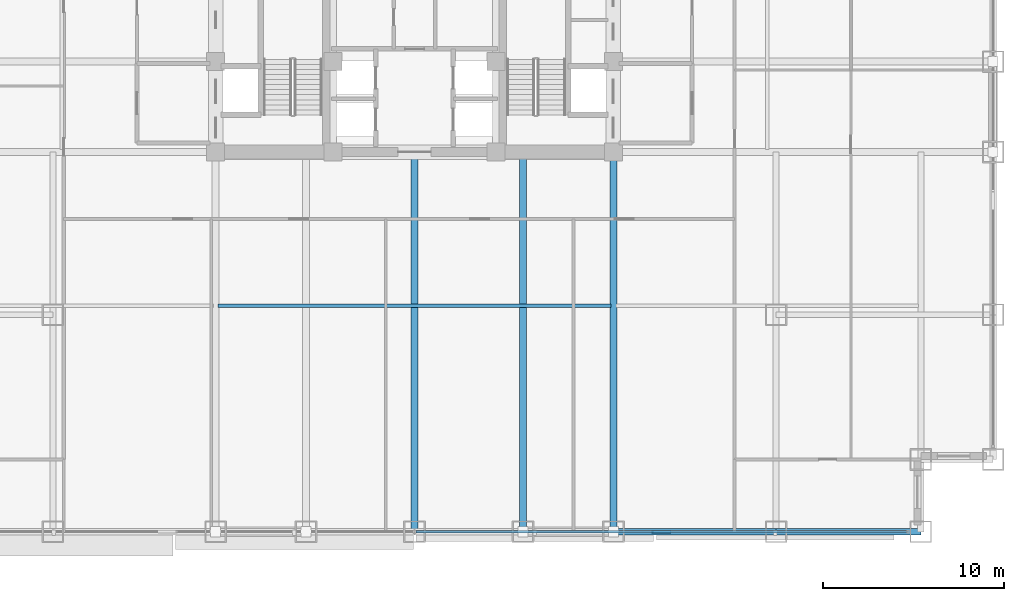
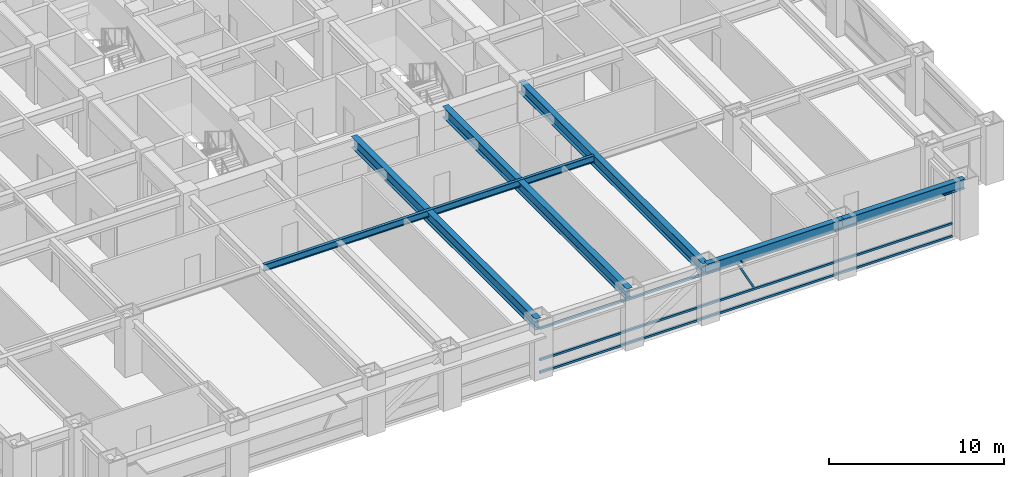
# One storey, part 5 of 32: 6 beams, 4 members, 1 element without a shape of its own.
"""IFC4 building model written with IfcOpenShell, lengths in metres."""

from ifc_helpers import new_model, si_unit, direction, frame, origin, origin_2d, place, context, subcontext, project, spatial, hollow_rectangle, i_section, extrude, source, transform, mapped, material, material_profile, profile_set, type_object, element, aggregate, save


model = new_model("IFC4")

# Units and contexts
model_context = context("Model", 3, precision=1e-05, world=origin(), true_north=direction((0.0, 1.0)))
body_context = subcontext(model_context, "Body", "Model", "MODEL_VIEW")
ifc_project = project(units=[si_unit("LENGTHUNIT", "METRE"), si_unit("AREAUNIT", "SQUARE_METRE"), si_unit("VOLUMEUNIT", "CUBIC_METRE"), si_unit("PLANEANGLEUNIT", "RADIAN"), si_unit("MASSUNIT", "GRAM", prefix="KILO")], contexts=[model_context])

# Site, building, storey
site_placement = place(None, origin())
site = spatial("IfcSite", under=ifc_project, at=site_placement, CompositionType="ELEMENT")
building_placement = place(site_placement, origin())
building = spatial("IfcBuilding", under=site, at=building_placement, Name="Khorayat Bourse Tower", CompositionType="ELEMENT")
storey_placement = place(building_placement, frame((0.0, 0.0, 132.39990234375)))
storey = spatial("IfcBuildingStorey", under=building, at=storey_placement, Name="L30", CompositionType="ELEMENT", Elevation=132.39990234375)

# Beams
ifc_material_1 = material(Name="Steel ASTM A992 Grade 50", Category="steel")
ifc_material_profile_1 = material_profile(ifc_material_1, i_section(OverallWidth=0.35498046875, OverallDepth=0.695068359375, WebThickness=0.015380859375, FlangeThickness=0.02490234375, FilletRadius=0.01806640625, at=origin_2d()), Name="W690X217")
ifc_profile_set_1 = profile_set([ifc_material_profile_1], Name="Steel ASTM A992 Grade 50")
beam_type_1 = type_object("IfcBeamType", Name="BM-SPAN-690", PredefinedType="SPANDREL", material=ifc_profile_set_1)
shared_shape_1 = source(origin(), body_context, "Body", "SweptSolid", [
    extrude(i_section(OverallWidth=0.35498046875, OverallDepth=0.695068359375, WebThickness=0.015380859375, FlangeThickness=0.02490234375, FilletRadius=0.01806640625, at=origin_2d()), origin(), (0.0, 0.0, 1.0), 9.0),
])
beam_1_placement = place(storey_placement, frame((11.0, -32.0, 3.49267578125), z_axis=(1.0, 0.0, 0.0), x_axis=(0.0, 1.0, 0.0)))
element("IfcBeam", 1, at=beam_1_placement, inside=storey, type_object=beam_type_1, Name="L30 BM-SPAN-690 BM-L30-SPN-030", PredefinedType="SPANDREL", context=body_context, shape_type="MappedRepresentation", body=[
    mapped(shared_shape_1, transform((0.0, 0.0, 0.0), scale=1.0)),
])
ifc_material_profile_2 = material_profile(ifc_material_1, i_section(OverallWidth=0.194091796875, OverallDepth=0.468994140625, WebThickness=0.0126953125, FlangeThickness=0.0205078125, FilletRadius=0.012939453125, at=origin_2d()), Name="W460X106")
ifc_profile_set_2 = profile_set([ifc_material_profile_2], Name="Steel ASTM A992 Grade 50")
beam_type_2 = type_object("IfcBeamType", Name="BM-JOIST-460", PredefinedType="JOIST", material=ifc_profile_set_2)
shared_shape_2 = source(origin(), body_context, "Body", "SweptSolid", [
    extrude(i_section(OverallWidth=0.194091796875, OverallDepth=0.468994140625, WebThickness=0.0126953125, FlangeThickness=0.0205078125, FilletRadius=0.012939453125, at=origin_2d()), origin(), (0.0, 0.0, 1.0), 21.740234375),
])
beam_2_placement = place(storey_placement, frame((-10.8701171875, -19.5, 3.605712890625), z_axis=(1.0, 0.0, 0.0), x_axis=(0.0, 1.0, 0.0)))
element("IfcBeam", 2, at=beam_2_placement, inside=storey, type_object=beam_type_2, Name="L30 BM-JOIST-460 BM-L30-JSTX-097", PredefinedType="JOIST", context=body_context, shape_type="MappedRepresentation", body=[
    mapped(shared_shape_2, transform((0.0, 0.0, 0.0), scale=1.0)),
])
shared_shape_3 = source(origin(), body_context, "Body", "SweptSolid", [
    extrude(i_section(OverallWidth=0.35498046875, OverallDepth=0.695068359375, WebThickness=0.015380859375, FlangeThickness=0.02490234375, FilletRadius=0.01806640625, at=origin_2d()), origin(), (0.0, 0.0, 1.0), 8.0),
])
beam_3_placement = place(storey_placement, frame((20.0, -32.0, 3.49267578125), z_axis=(1.0, 0.0, 0.0), x_axis=(0.0, 1.0, 0.0)))
element("IfcBeam", 3, at=beam_3_placement, inside=storey, type_object=beam_type_1, Name="L30 BM-SPAN-690 BM-L30-SPN-031", PredefinedType="SPANDREL", context=body_context, shape_type="MappedRepresentation", body=[
    mapped(shared_shape_3, transform((0.0, 0.0, 0.0), scale=1.0)),
])
ifc_material_profile_3 = material_profile(ifc_material_1, i_section(OverallWidth=0.381103515625, OverallDepth=0.77294921875, WebThickness=0.0166015625, FlangeThickness=0.027587890625, FilletRadius=0.01806640625, at=origin_2d()), Name="W760X257")
ifc_profile_set_3 = profile_set([ifc_material_profile_3], Name="Steel ASTM A992 Grade 50")
beam_type_3 = type_object("IfcBeamType", Name="BM-GIRD-760", PredefinedType="BEAM", material=ifc_profile_set_3)
shared_shape_4 = source(origin(), body_context, "Body", "SweptSolid", [
    extrude(i_section(OverallWidth=0.381103515625, OverallDepth=0.77294921875, WebThickness=0.0166015625, FlangeThickness=0.027587890625, FilletRadius=0.01806640625, at=origin_2d()), origin(), (0.0, 0.0, 1.0), 21.0),
])
for number, where, z_axis, x_axis, name in (
    (4, (0.0, -32.0, 3.45361328125), (0.0, 1.0, 0.0), (-1.0, 0.0, 0.0), "L30 BM-GIRD-760 BM-L30-RADY-069"),
    (5, (6.0, -32.0, 3.45361328125), (0.0, 1.0, 0.0), (-1.0, 0.0, 0.0), "L30 BM-GIRD-760 BM-L30-RADY-071"),
    (6, (11.0, -32.0, 3.45361328125), (0.0, 1.0, 0.0), (-1.0, 0.0, 0.0), "L30 BM-GIRD-760 BM-L30-RADY-073"),
):
    element("IfcBeam", number, at=place(storey_placement, frame(where, z_axis=z_axis, x_axis=x_axis)), inside=storey, type_object=beam_type_3, Name=name, PredefinedType="BEAM", context=body_context, shape_type="MappedRepresentation", body=[
        mapped(shared_shape_4, transform((0.0, 0.0, 0.0), scale=1.0)),
    ])

# Curtain wall, members
ifc_material_2 = material(Name="Aluminium EN AW-6063 T6", Category="aluminium")
curtain_wall_type = type_object("IfcCurtainWallType", Name="CW-SYS-02", PredefinedType="NOTDEFINED", material=ifc_material_2)
curtain_wall_placement = place(storey_placement, origin())
curtain_wall = element("IfcCurtainWall", 7, at=curtain_wall_placement, inside=storey, type_object=curtain_wall_type, Name="L30 Curtain Wall CW-L30-S1", PredefinedType="NOTDEFINED")
ifc_material_profile_4 = material_profile(ifc_material_2, hollow_rectangle(XDim=0.139892578125, YDim=0.139892578125, WallThickness=0.006103515625, at=origin_2d()), Name="ALU 140x140x6")
ifc_profile_set_4 = profile_set([ifc_material_profile_4], Name="Aluminium EN AW-6063 T6")
member_type_1 = type_object("IfcMemberType", Name="CWT-HORZ-140", PredefinedType="USERDEFINED", material=ifc_profile_set_4)
shared_shape_5 = source(origin(), body_context, "Body", "SweptSolid", [
    extrude(hollow_rectangle(XDim=0.139892578125, YDim=0.139892578125, WallThickness=0.006103515625, at=origin_2d()), origin(), (0.0, 0.0, 1.0), 27.139892578125),
])
member_1_placement = place(storey_placement, frame((0.070068359375, -32.0, 0.070068359375), z_axis=(1.0, 0.0, 0.0), x_axis=(0.0, 1.0, 0.0)))
member_1 = element("IfcMember", 8, at=member_1_placement, type_object=member_type_1, Name="CW-L30-S1 Horizontal Transom 2-1", ObjectType="TRANSOM", PredefinedType="USERDEFINED", context=body_context, shape_type="MappedRepresentation", body=[
    mapped(shared_shape_5, transform((0.0, 0.0, 0.0), scale=1.0)),
])
member_2_placement = place(storey_placement, frame((0.070068359375, -32.0, 0.9501953125), z_axis=(1.0, 0.0, 0.0), x_axis=(0.0, 1.0, 0.0)))
member_2 = element("IfcMember", 9, at=member_2_placement, type_object=member_type_1, Name="CW-L30-S1 Horizontal Transom 2-2", ObjectType="TRANSOM", PredefinedType="USERDEFINED", context=body_context, shape_type="MappedRepresentation", body=[
    mapped(shared_shape_5, transform((0.0, 0.0, 0.0), scale=1.0)),
])
member_3_placement = place(storey_placement, frame((0.070068359375, -32.0, 3.1201171875), z_axis=(1.0, 0.0, 0.0), x_axis=(0.0, 1.0, 0.0)))
member_3 = element("IfcMember", 10, at=member_3_placement, type_object=member_type_1, Name="CW-L30-S1 Horizontal Transom 2-3", ObjectType="TRANSOM", PredefinedType="USERDEFINED", context=body_context, shape_type="MappedRepresentation", body=[
    mapped(shared_shape_5, transform((0.0, 0.0, 0.0), scale=1.0)),
])
ifc_material_profile_5 = material_profile(ifc_material_2, hollow_rectangle(XDim=0.1201171875, YDim=0.1201171875, WallThickness=0.0048828125, at=origin_2d()), Name="ALU 120x120x5")
ifc_profile_set_5 = profile_set([ifc_material_profile_5], Name="Aluminium EN AW-6063 T6")
member_type_2 = type_object("IfcMemberType", Name="CWM-DIAG-120", PredefinedType="MULLION", material=ifc_profile_set_5)
shared_shape_6 = source(origin(), body_context, "Body", "SweptSolid", [
    extrude(hollow_rectangle(XDim=0.1201171875, YDim=0.1201171875, WallThickness=0.0048828125, at=origin_2d()), origin(), (0.0, 0.0, 1.0), 2.11328125),
])
member_4_placement = place(storey_placement, frame((14.132080078125, -32.0, 1.10009765625), z_axis=(-0.465694055905, 0.0, 0.884945787207), x_axis=(0.0, -1.0, 0.0)))
member_4 = element("IfcMember", 11, at=member_4_placement, type_object=member_type_2, Name="CW-L30-S1 Faceted Diagonal Mullion 2", PredefinedType="MULLION", context=body_context, shape_type="MappedRepresentation", body=[
    mapped(shared_shape_6, transform((0.0, 0.0, 0.0), scale=1.0)),
])
aggregate(curtain_wall, [member_1, member_2, member_3, member_4])

save(model, "model.ifc")
